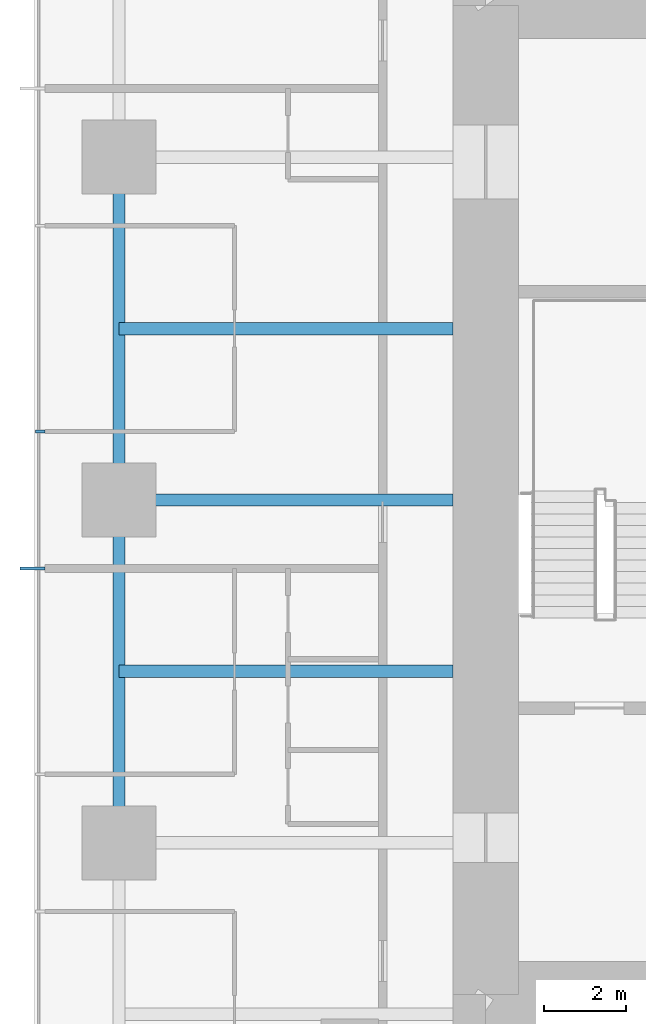
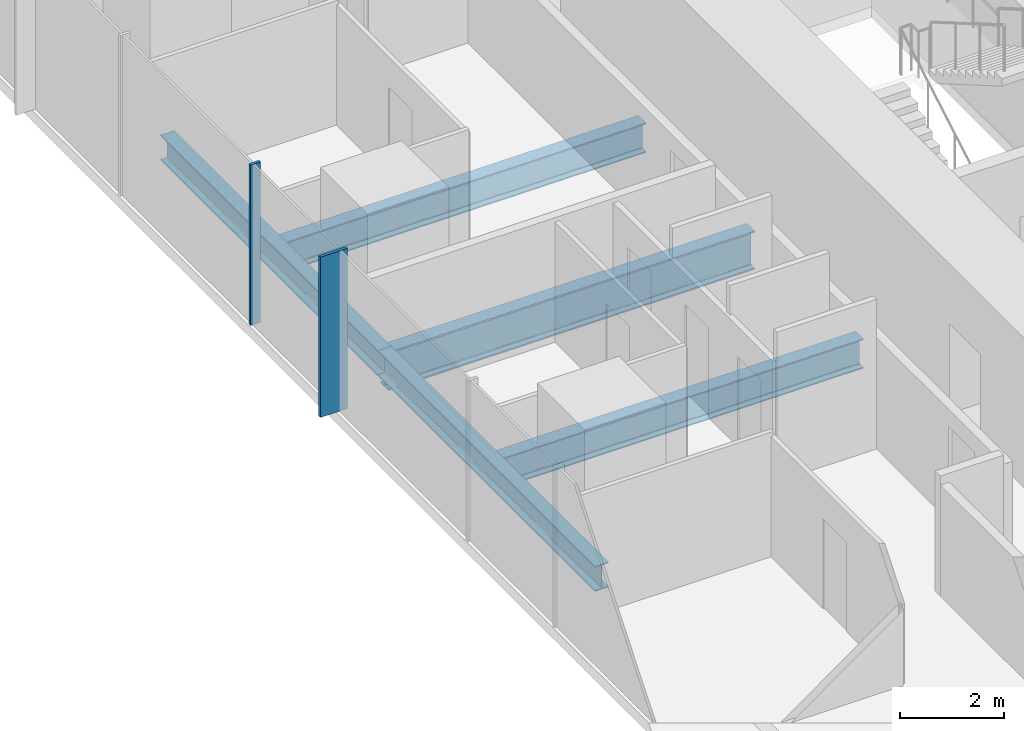
# One storey, part 3 of 12: 5 beams, 2 members, 1 element without a shape of its own.
"""IFC4 building model written with IfcOpenShell, lengths in metres."""

from ifc_helpers import new_model, si_unit, direction, frame, origin, origin_2d, place, context, subcontext, project, spatial, rectangle, i_section, extrude, material, material_profile, profile_set, type_object, element, aggregate, save


model = new_model("IFC4")

# Units and contexts
model_context = context("Model", 3, precision=1e-05, world=origin(), true_north=direction((0.0, 1.0)))
body_context = subcontext(model_context, "Body", "Model", "MODEL_VIEW")
ifc_project = project(units=[si_unit("LENGTHUNIT", "METRE"), si_unit("AREAUNIT", "SQUARE_METRE"), si_unit("VOLUMEUNIT", "CUBIC_METRE"), si_unit("PLANEANGLEUNIT", "RADIAN"), si_unit("MASSUNIT", "GRAM", prefix="KILO")], contexts=[model_context])

# Site, building, storey
site_placement = place(None, origin())
site = spatial("IfcSite", under=ifc_project, at=site_placement, CompositionType="ELEMENT")
building_placement = place(site_placement, origin())
building = spatial("IfcBuilding", under=site, at=building_placement, Name="Khuree Lantern Residences", CompositionType="ELEMENT")
storey_placement = place(building_placement, frame((0.0, 0.0, 214.5)))
storey = spatial("IfcBuildingStorey", under=building, at=storey_placement, Name="L53", CompositionType="ELEMENT", Elevation=214.5)

# Beams
ifc_material_1 = material(Name="Steel S355", Category="steel")
ifc_material_profile_1 = material_profile(ifc_material_1, i_section(OverallWidth=0.300048828125, OverallDepth=0.68994140625, WebThickness=0.014404296875, FlangeThickness=0.027099609375, FilletRadius=0.027099609375, at=origin_2d()), Name="HE 700 A")
ifc_profile_set_1 = profile_set([ifc_material_profile_1], Name="Steel S355")
beam_type_1 = type_object("IfcBeamType", Name="B-32 SECONDARY BEAM HE 700 A", PredefinedType="BEAM", material=ifc_profile_set_1)
for number, where, z_axis, x_axis, name in (
    (1, (-24.39990234375, -4.159912109375, -0.594970703125), (1.0, 0.0, 0.0), (0.0, 1.0, 0.0), "Secondary beam W3"),
    (2, (-24.39990234375, 4.159912109375, -0.594970703125), (1.0, 0.0, 0.0), (0.0, 1.0, 0.0), "Secondary beam W4"),
):
    element("IfcBeam", number, at=place(storey_placement, frame(where, z_axis=z_axis, x_axis=x_axis)), inside=storey, type_object=beam_type_1, Name=name, PredefinedType="BEAM", context=body_context, shape_type="SweptSolid", body=[
        extrude(i_section(OverallWidth=0.300048828125, OverallDepth=0.68994140625, WebThickness=0.014404296875, FlangeThickness=0.027099609375, FilletRadius=0.027099609375, at=origin_2d()), origin(), (0.0, 0.0, 1.0), 8.099853515625),
    ])
ifc_material_profile_2 = material_profile(ifc_material_1, i_section(OverallWidth=0.300048828125, OverallDepth=0.590087890625, WebThickness=0.012939453125, FlangeThickness=0.02490234375, FilletRadius=0.027099609375, at=origin_2d()), Name="HE 600 A")
ifc_profile_set_2 = profile_set([ifc_material_profile_2], Name="Steel S355")
beam_type_2 = type_object("IfcBeamType", Name="E-32 SPANDREL BEAM HE 600 A", PredefinedType="SPANDREL", material=ifc_profile_set_2)
for number, where, z_axis, x_axis, name in (
    (3, (-24.39990234375, -8.320068359375, -0.544921875), (0.0, 1.0, 0.0), (-1.0, 0.0, 0.0), "Spandrel beam W3"),
    (4, (-24.39990234375, 0.0, -0.544921875), (0.0, 1.0, 0.0), (-1.0, 0.0, 0.0), "Spandrel beam W4"),
):
    element("IfcBeam", number, at=place(storey_placement, frame(where, z_axis=z_axis, x_axis=x_axis)), inside=storey, type_object=beam_type_2, Name=name, PredefinedType="SPANDREL", context=body_context, shape_type="SweptSolid", body=[
        extrude(i_section(OverallWidth=0.300048828125, OverallDepth=0.590087890625, WebThickness=0.012939453125, FlangeThickness=0.02490234375, FilletRadius=0.027099609375, at=origin_2d()), origin(), (0.0, 0.0, 1.0), 8.320068359375),
    ])

# Curtain wall, member
ifc_material_2 = material(Name="Bronze anodised aluminium", Category="aluminium")
curtain_wall_type = type_object("IfcCurtainWallType", Name="CW-T1 TOWER FACE CURTAIN WALL", PredefinedType="USERDEFINED", material=ifc_material_2)
curtain_wall_placement = place(storey_placement, origin())
curtain_wall = element("IfcCurtainWall", 5, at=curtain_wall_placement, inside=storey, type_object=curtain_wall_type, Name="L53 WEST FACE CURTAIN WALL", ObjectType="Stick-built curtain wall", PredefinedType="USERDEFINED")
ifc_material_profile_3 = material_profile(ifc_material_2, rectangle(XDim=0.06494140625, YDim=0.60009765625, at=origin_2d()), Name="F1 65X600")
ifc_profile_set_3 = profile_set([ifc_material_profile_3], Name="Bronze anodised aluminium")
member_type_1 = type_object("IfcMemberType", Name="F1 BRONZE FIN MULLION TOWER 65X600", PredefinedType="MULLION", material=ifc_profile_set_3)
member_1_placement = place(storey_placement, frame((-26.5, -1.6640625, 0.0), z_axis=(0.0, 0.0, 1.0), x_axis=(0.0, -1.0, 0.0)))
member_1 = element("IfcMember", 6, at=member_1_placement, type_object=member_type_1, Name="L53 WEST FACE FIN MULLION 38", PredefinedType="MULLION", context=body_context, shape_type="SweptSolid", body=[
    extrude(rectangle(XDim=0.06494140625, YDim=0.60009765625, at=origin_2d()), origin(), (0.0, 0.0, 1.0), 3.75),
])

# Beam
ifc_material_profile_4 = material_profile(ifc_material_1, i_section(OverallWidth=0.300048828125, OverallDepth=0.89990234375, WebThickness=0.0185546875, FlangeThickness=0.034912109375, FilletRadius=0.030029296875, at=origin_2d()), Name="HE 900 B")
ifc_profile_set_4 = profile_set([ifc_material_profile_4], Name="Steel S355")
beam_type_3 = type_object("IfcBeamType", Name="G-32 GIRDER HE 900 B", PredefinedType="BEAM", material=ifc_profile_set_4)
beam_placement = place(storey_placement, frame((-24.39990234375, 0.0, -0.699951171875), z_axis=(1.0, 0.0, 0.0), x_axis=(0.0, 1.0, 0.0)))
element("IfcBeam", 7, at=beam_placement, inside=storey, type_object=beam_type_3, Name="Girder W3", PredefinedType="BEAM", context=body_context, shape_type="SweptSolid", body=[
    extrude(i_section(OverallWidth=0.300048828125, OverallDepth=0.89990234375, WebThickness=0.0185546875, FlangeThickness=0.034912109375, FilletRadius=0.030029296875, at=origin_2d()), origin(), (0.0, 0.0, 1.0), 8.099853515625),
])

# Member
ifc_material_profile_5 = material_profile(ifc_material_2, rectangle(XDim=0.06494140625, YDim=0.219970703125, at=origin_2d()), Name="M1 65X220")
ifc_profile_set_5 = profile_set([ifc_material_profile_5], Name="Bronze anodised aluminium")
member_type_2 = type_object("IfcMemberType", Name="M1 BRONZE MULLION TOWER 65X220", PredefinedType="MULLION", material=ifc_profile_set_5)
member_2_placement = place(storey_placement, frame((-26.31005859375, 1.6640625, 0.0), z_axis=(0.0, 0.0, 1.0), x_axis=(0.0, -1.0, 0.0)))
member_2 = element("IfcMember", 8, at=member_2_placement, type_object=member_type_2, Name="L53 WEST FACE MULLION 37", PredefinedType="MULLION", context=body_context, shape_type="SweptSolid", body=[
    extrude(rectangle(XDim=0.06494140625, YDim=0.219970703125, at=origin_2d()), origin(), (0.0, 0.0, 1.0), 3.75),
])

aggregate(curtain_wall, [member_2, member_1])

save(model, "model.ifc")
